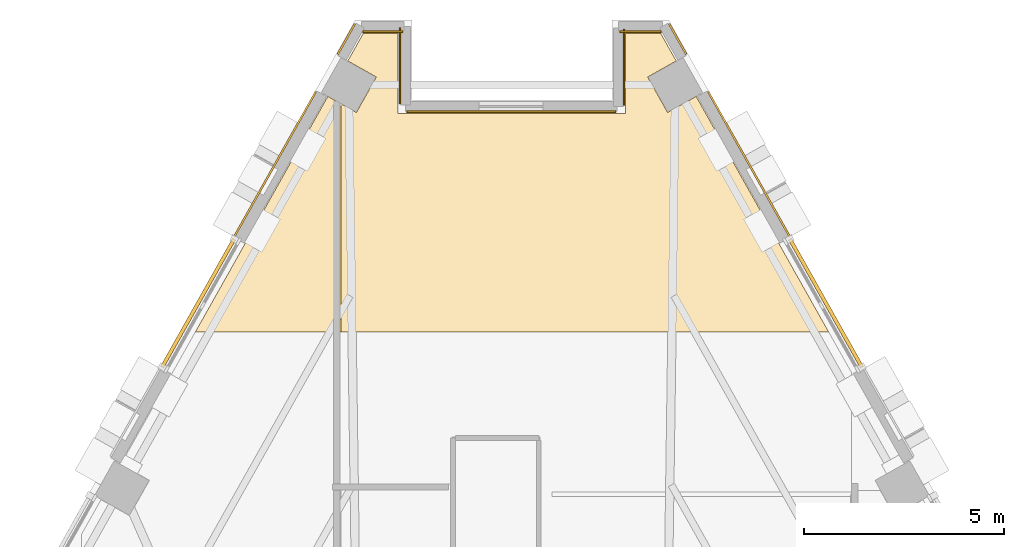
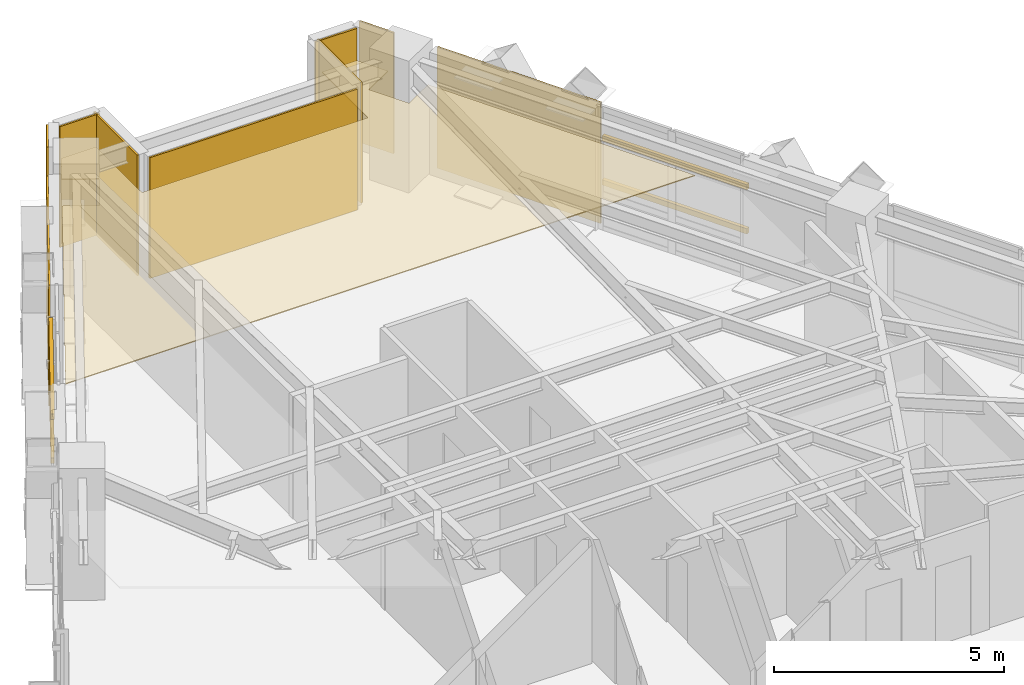
# One storey, part 14 of 14: 11 coverings, 4 shading devices.
"""IFC4 building model written with IfcOpenShell, lengths in metres."""

from ifc_helpers import new_model, si_unit, direction, frame, origin, origin_2d, place, context, subcontext, project, spatial, polyline, rectangle, outline, extrude, material, layer, layer_set, material_profile, profile_set, type_object, element, save


model = new_model("IFC4")

# Units and contexts
model_context = context("Model", 3, precision=1e-05, world=origin(), true_north=direction((0.0, 1.0)))
body_context = subcontext(model_context, "Body", "Model", "MODEL_VIEW")
ifc_project = project(units=[si_unit("LENGTHUNIT", "METRE"), si_unit("AREAUNIT", "SQUARE_METRE"), si_unit("VOLUMEUNIT", "CUBIC_METRE"), si_unit("PLANEANGLEUNIT", "RADIAN"), si_unit("MASSUNIT", "GRAM", prefix="KILO")], contexts=[model_context])

# Site, building, storey
site_placement = place(None, origin())
site = spatial("IfcSite", under=ifc_project, at=site_placement, CompositionType="ELEMENT")
building_placement = place(site_placement, origin())
building = spatial("IfcBuilding", under=site, at=building_placement, Name="Quenlor Broadcast Tower", CompositionType="ELEMENT")
storey_placement = place(building_placement, frame((0.0, 0.0, 144.0)))
storey = spatial("IfcBuildingStorey", under=building, at=storey_placement, Name="L39", CompositionType="ELEMENT", Elevation=144.0)

# Coverings
ifc_material_1 = material(Name="Acoustic Mineral Fibre Board", Category="other")
ifc_layer_1 = layer(ifc_material_1, 0.02490234375)
ifc_layer_set_1 = layer_set([ifc_layer_1], Name="Acoustic Perforated Mineral Tile Ceiling 25")
covering_type_1 = type_object("IfcCoveringType", Name="Acoustic Perforated Mineral Tile Ceiling 25", PredefinedType="CEILING", material=ifc_layer_set_1)
covering_1_placement = place(storey_placement, frame((0.0, 0.0, 2.375)))
element("IfcCovering", 1, at=covering_1_placement, inside=storey, type_object=covering_type_1, Name="L39 Acoustic Ceiling L39-28-2", PredefinedType="CEILING", context=body_context, shape_type="SweptSolid", body=[
    extrude(outline(polyline([(2.840087890625, 20.10009765625), (3.71630859375, 20.10009765625), (4.100341796875, 19.416748046875), (3.387451171875, 19.015869140625), (3.885498046875, 18.13037109375), (4.598388671875, 18.53125), (7.90673828125, 12.64990234375), (-4.300048828125, 12.64990234375), (-4.300048828125, 18.36328125), (-3.885498046875, 18.13037109375), (-3.387451171875, 19.015869140625), (-4.100341796875, 19.416748046875), (-3.71630859375, 20.10009765625), (-2.840087890625, 20.10009765625), (-2.840087890625, 18.10009765625), (2.840087890625, 18.10009765625), (2.840087890625, 20.10009765625)])), origin(), (0.0, 0.0, 1.0), 0.02490234375),
])
covering_2_placement = place(storey_placement, frame((0.0, 0.0, 2.375)))
element("IfcCovering", 2, at=covering_2_placement, inside=storey, type_object=covering_type_1, Name="L39 Acoustic Ceiling L39-34-3", PredefinedType="CEILING", context=body_context, shape_type="SweptSolid", body=[
    extrude(outline(polyline([(-6.2578125, 15.581787109375), (-4.598388671875, 18.53125), (-4.27001953125, 18.346435546875), (-4.27001953125, 12.64990234375), (-7.90673828125, 12.64990234375), (-6.2578125, 15.581787109375)])), origin(), (0.0, 0.0, 1.0), 0.02490234375),
])

# Shading devices
ifc_material_2 = material(Name="Architectural Terracotta Ceramic", Category="masonry")
ifc_material_profile = material_profile(ifc_material_2, rectangle(XDim=0.090087890625, YDim=0.139892578125, at=origin_2d()))
ifc_profile_set = profile_set([ifc_material_profile], Name="Architectural Terracotta Ceramic BAG90x140")
shading_device_type = type_object("IfcShadingDeviceType", Name="Copper Terracotta Baguette Solar Screen 140", PredefinedType="USERDEFINED", material=ifc_profile_set)
for number, where, z_axis, x_axis, name in (
    (3, (6.938720703125, 14.968505859375, 1.169921875), (0.490286548151, -0.871561300599, 0.0), (0.871561300599, 0.490286548151, 0.0), "L39 Terracotta Baguette Screen 1"),
    (4, (6.938720703125, 14.968505859375, 2.340087890625), (0.490286548151, -0.871561300599, 0.0), (0.871561300599, 0.490286548151, 0.0), "L39 Terracotta Baguette Screen 2"),
    (5, (-8.735107421875, 11.775146484375, 1.169921875), (0.490286548151, 0.871561300599, 0.0), (-0.871561300599, 0.490286548151, 0.0), "L39 Terracotta Baguette Screen 1"),
    (6, (-8.735107421875, 11.775146484375, 2.340087890625), (0.490286548151, 0.871561300599, 0.0), (-0.871561300599, 0.490286548151, 0.0), "L39 Terracotta Baguette Screen 2"),
):
    element("IfcShadingDevice", number, at=place(storey_placement, frame(where, z_axis=z_axis, x_axis=x_axis)), inside=storey, type_object=shading_device_type, Name=name, ObjectType="BAGUETTE", PredefinedType="USERDEFINED", context=body_context, shape_type="SweptSolid", body=[
        extrude(rectangle(XDim=0.090087890625, YDim=0.139892578125, at=origin_2d()), origin(), (0.0, 0.0, 1.0), 3.6640625),
    ])

# Coverings
ifc_material_3 = material(Name="Architectural Terracotta Ceramic", Category="masonry")
ifc_layer_2 = layer(ifc_material_3, 0.044921875)
ifc_layer_set_2 = layer_set([ifc_layer_2], Name="Fluted Terracotta Rainscreen Cladding Panel")
covering_type_2 = type_object("IfcCoveringType", Name="Fluted Terracotta Rainscreen Cladding Panel", PredefinedType="CLADDING", material=ifc_layer_set_2)
covering_3_placement = place(storey_placement, frame((0.0, 0.0, 0.02001953125)))
element("IfcCovering", 7, at=covering_3_placement, inside=storey, type_object=covering_type_2, Name="L39 Terracotta Rainscreen Cladding L39-SHD-NES0", PredefinedType="CLADDING", context=body_context, shape_type="SweptSolid", body=[
    extrude(outline(polyline([(3.904296875, 20.330810546875), (4.32861328125, 19.576171875), (4.367919921875, 19.59814453125), (3.943359375, 20.352783203125), (3.904296875, 20.330810546875)])), origin(), (0.0, 0.0, 1.0), 3.2099609375),
])
covering_4_placement = place(storey_placement, frame((0.0, 0.0, 0.02001953125)))
element("IfcCovering", 8, at=covering_4_placement, inside=storey, type_object=covering_type_2, Name="L39 Terracotta Rainscreen Cladding L39-NEA-SP1", PredefinedType="CLADDING", context=body_context, shape_type="SweptSolid", body=[
    extrude(outline(polyline([(4.880615234375, 18.635986328125), (6.910400390625, 15.027099609375), (6.94970703125, 15.04931640625), (4.919677734375, 18.657958984375), (4.880615234375, 18.635986328125)])), origin(), (0.0, 0.0, 1.0), 3.2099609375),
])
covering_5_placement = place(storey_placement, frame((0.0, 0.0, 0.02001953125)))
element("IfcCovering", 9, at=covering_5_placement, inside=storey, type_object=covering_type_2, Name="L39 Terracotta Rainscreen Cladding L39-SHD-NWS1", PredefinedType="CLADDING", context=body_context, shape_type="SweptSolid", body=[
    extrude(outline(polyline([(-4.32861328125, 19.576171875), (-3.904296875, 20.330810546875), (-3.943359375, 20.352783203125), (-4.367919921875, 19.59814453125), (-4.32861328125, 19.576171875)])), origin(), (0.0, 0.0, 1.0), 3.2099609375),
])
covering_6_placement = place(storey_placement, frame((0.0, 0.0, 0.02001953125)))
element("IfcCovering", 10, at=covering_6_placement, inside=storey, type_object=covering_type_2, Name="L39 Terracotta Rainscreen Cladding L39-NWC-SP2", PredefinedType="CLADDING", context=body_context, shape_type="SweptSolid", body=[
    extrude(outline(polyline([(-6.910400390625, 15.027099609375), (-4.880615234375, 18.635986328125), (-4.919677734375, 18.657958984375), (-6.94970703125, 15.04931640625), (-6.910400390625, 15.027099609375)])), origin(), (0.0, 0.0, 1.0), 3.2099609375),
])
covering_7_placement = place(storey_placement, frame((0.0, 0.0, 0.02001953125)))
element("IfcCovering", 11, at=covering_7_placement, inside=storey, type_object=covering_type_2, Name="L39 Terracotta Rainscreen Cladding L39-CNR-06", PredefinedType="CLADDING", context=body_context, shape_type="SweptSolid", body=[
    extrude(outline(polyline([(3.7314453125, 20.16796875), (2.68994140625, 20.16796875), (2.68994140625, 20.123046875), (3.7314453125, 20.123046875), (3.7314453125, 20.16796875)])), origin(), (0.0, 0.0, 1.0), 3.2099609375),
])
covering_8_placement = place(storey_placement, frame((0.0, 0.0, 0.02001953125)))
element("IfcCovering", 12, at=covering_8_placement, inside=storey, type_object=covering_type_2, Name="L39 Terracotta Rainscreen Cladding L39-CNR-07", PredefinedType="CLADDING", context=body_context, shape_type="SweptSolid", body=[
    extrude(outline(polyline([(2.77197265625, 20.2099609375), (2.77197265625, 18.31005859375), (2.81689453125, 18.31005859375), (2.81689453125, 20.2099609375), (2.77197265625, 20.2099609375)])), origin(), (0.0, 0.0, 1.0), 3.2099609375),
])
covering_9_placement = place(storey_placement, frame((0.0, 0.0, 0.02001953125)))
element("IfcCovering", 13, at=covering_9_placement, inside=storey, type_object=covering_type_2, Name="L39 Terracotta Rainscreen Cladding L39-CNR-08", PredefinedType="CLADDING", context=body_context, shape_type="SweptSolid", body=[
    extrude(outline(polyline([(2.590087890625, 18.16796875), (-2.6298828125, 18.16796875), (-2.6298828125, 18.123046875), (2.590087890625, 18.123046875), (2.590087890625, 18.16796875)])), origin(), (0.0, 0.0, 1.0), 3.2099609375),
])
covering_10_placement = place(storey_placement, frame((0.0, 0.0, 0.02001953125)))
element("IfcCovering", 14, at=covering_10_placement, inside=storey, type_object=covering_type_2, Name="L39 Terracotta Rainscreen Cladding L39-CNR-09", PredefinedType="CLADDING", context=body_context, shape_type="SweptSolid", body=[
    extrude(outline(polyline([(-2.77197265625, 18.35009765625), (-2.77197265625, 20.25), (-2.81689453125, 20.25), (-2.81689453125, 18.35009765625), (-2.77197265625, 18.35009765625)])), origin(), (0.0, 0.0, 1.0), 3.2099609375),
])
covering_11_placement = place(storey_placement, frame((0.0, 0.0, 0.02001953125)))
element("IfcCovering", 15, at=covering_11_placement, inside=storey, type_object=covering_type_2, Name="L39 Terracotta Rainscreen Cladding L39-CNR-10", PredefinedType="CLADDING", context=body_context, shape_type="SweptSolid", body=[
    extrude(outline(polyline([(-2.72998046875, 20.16796875), (-3.7314453125, 20.16796875), (-3.7314453125, 20.123046875), (-2.72998046875, 20.123046875), (-2.72998046875, 20.16796875)])), origin(), (0.0, 0.0, 1.0), 3.2099609375),
])

save(model, "model.ifc")
